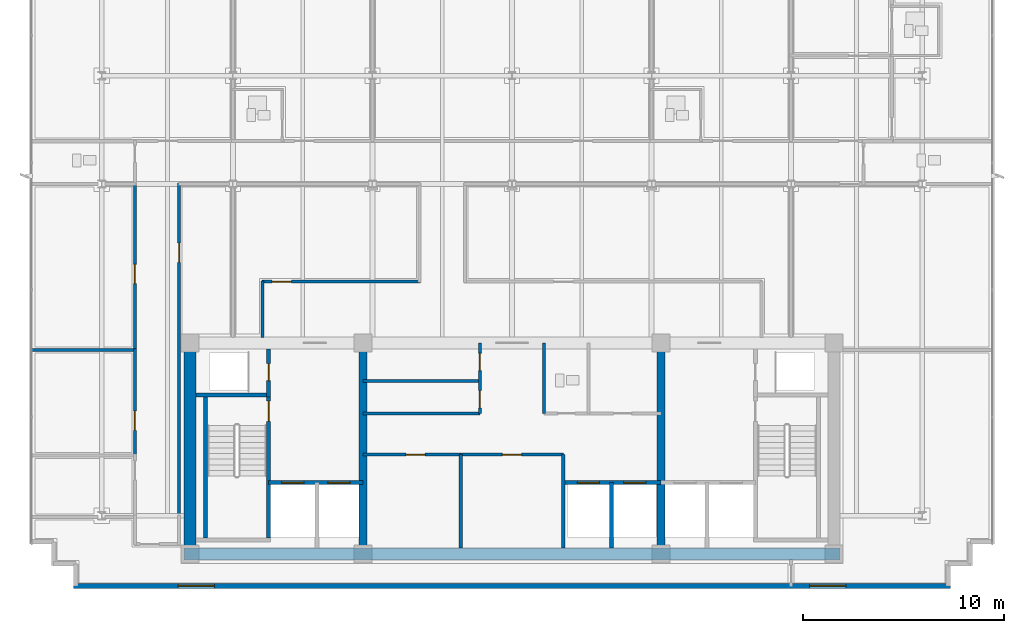
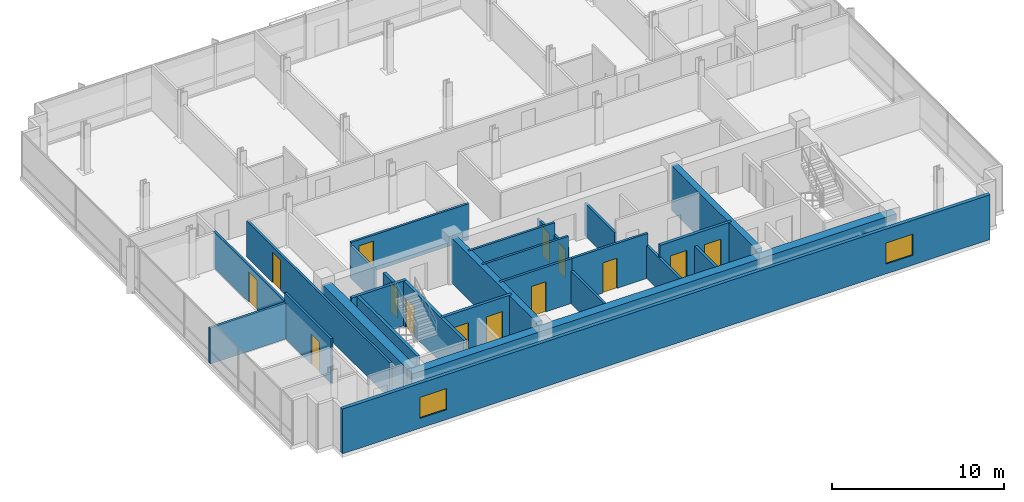
# One storey, part 11 of 19: 26 walls, 14 doors, 2 windows, 16 openings.
"""IFC4 building model written with IfcOpenShell, lengths in metres."""

from ifc_helpers import new_model, si_unit, direction, frame, frame_2d, origin, place, context, subcontext, project, spatial, rectangle, extrude, material, layer, layer_set, type_object, element, fill, save


model = new_model("IFC4")

# Units and contexts
model_context = context("Model", 3, precision=1e-05, world=origin(), true_north=direction((0.0, 1.0)))
body_context = subcontext(model_context, "Body", "Model", "MODEL_VIEW")
ifc_project = project(units=[si_unit("LENGTHUNIT", "METRE"), si_unit("AREAUNIT", "SQUARE_METRE"), si_unit("VOLUMEUNIT", "CUBIC_METRE"), si_unit("PLANEANGLEUNIT", "RADIAN"), si_unit("MASSUNIT", "GRAM", prefix="KILO")], contexts=[model_context])

# Site, building, storey
site_placement = place(None, origin())
site = spatial("IfcSite", under=ifc_project, at=site_placement, CompositionType="ELEMENT")
building_placement = place(site_placement, origin())
building = spatial("IfcBuilding", under=site, at=building_placement, Name="Solmavex Isthmus Hotel", CompositionType="ELEMENT")
storey_placement = place(building_placement, frame((0.0, 0.0, 262.64990234375)))
storey = spatial("IfcBuildingStorey", under=building, at=storey_placement, Name="L71", CompositionType="ELEMENT", Elevation=262.64990234375)

# Wall, openings, windows
ifc_material_1 = material(Name="Precast Concrete C40/50", Category="concrete")
ifc_layer_1 = layer(ifc_material_1, 0.25)
ifc_layer_set_1 = layer_set([ifc_layer_1], Name="Precast Concrete C40/50")
wall_type_1 = type_object("IfcWallType", Name="EW-TWR-250", PredefinedType="STANDARD", material=ifc_layer_set_1)
wall_1_placement = place(storey_placement, frame((-21.800048828125, -14.580078125, 0.0), z_axis=(0.0, 0.0, 1.0), x_axis=(1.0, 0.0, 0.0)))
wall_1 = element("IfcWall", 1, at=wall_1_placement, inside=storey, type_object=wall_type_1, Name="Tower Rear South Facade Wall L71", PredefinedType="STANDARD", context=body_context, shape_type="SweptSolid", body=[
    extrude(rectangle(XDim=43.60009765625, YDim=0.239990234375, at=frame_2d((21.800048828125, 0.0))), origin(), (0.0, 0.0, 1.0), 3.190185546875),
])
opening_1_placement = place(wall_1_placement, frame((5.2041015625, 0.0, 0.699951171875)))
opening_1 = element("IfcOpeningElement", 2, at=opening_1_placement, cuts=wall_1, Name="Opening WN-02", PredefinedType="OPENING", context=body_context, shape_type="SweptSolid", body=[
    extrude(rectangle(XDim=1.800048828125, YDim=1.5, at=frame_2d((0.89990234375, 0.75))), frame((0.0, 0.1298828125, 0.0), z_axis=(0.0, -1.0, 0.0), x_axis=(1.0, 0.0, 0.0)), (0.0, 0.0, 1.0), 0.260009765625),
])
opening_2_placement = place(wall_1_placement, frame((36.595947265625, 0.0, 0.699951171875)))
opening_2 = element("IfcOpeningElement", 3, at=opening_2_placement, cuts=wall_1, Name="Opening WN-02", PredefinedType="OPENING", context=body_context, shape_type="SweptSolid", body=[
    extrude(rectangle(XDim=1.800048828125, YDim=1.5, at=frame_2d((0.89990234375, 0.75))), frame((0.0, 0.1298828125, 0.0), z_axis=(0.0, -1.0, 0.0), x_axis=(1.0, 0.0, 0.0)), (0.0, 0.0, 1.0), 0.260009765625),
])
ifc_material_2 = material(Name="Clear low-E laminated glass", Category="glass")
window_type = type_object("IfcWindowType", Name="WIN-TWR-1800", PartitioningType="SINGLE_PANEL", PredefinedType="WINDOW", material=ifc_material_2)
window_1_placement = place(opening_1_placement, origin())
window_1 = element("IfcWindow", 4, at=window_1_placement, inside=storey, type_object=window_type, Name="South Facade Vision Window L71-S1", OverallHeight=1.5, OverallWidth=1.800048828125, PartitioningType="SINGLE_PANEL", PredefinedType="WINDOW", context=body_context, shape_type="SweptSolid", body=[
    extrude(rectangle(XDim=1.800048828125, YDim=1.5, at=frame_2d((0.89990234375, 0.75))), frame((0.0, 0.030029296875, 0.0), z_axis=(0.0, -1.0, 0.0), x_axis=(1.0, 0.0, 0.0)), (0.0, 0.0, 1.0), 0.06005859375),
])
fill(opening_1, window_1)
window_2_placement = place(opening_2_placement, origin())
window_2 = element("IfcWindow", 5, at=window_2_placement, inside=storey, type_object=window_type, Name="South Facade Vision Window L71-S2", OverallHeight=1.5, OverallWidth=1.800048828125, PartitioningType="SINGLE_PANEL", PredefinedType="WINDOW", context=body_context, shape_type="SweptSolid", body=[
    extrude(rectangle(XDim=1.800048828125, YDim=1.5, at=frame_2d((0.89990234375, 0.75))), frame((0.0, 0.030029296875, 0.0), z_axis=(0.0, -1.0, 0.0), x_axis=(1.0, 0.0, 0.0)), (0.0, 0.0, 1.0), 0.06005859375),
])
fill(opening_2, window_2)

# Wall, opening, door
ifc_material_3 = material(Name="Gypsum plasterboard lining", Category="gypsum")
ifc_layer_2 = layer(ifc_material_3, 0.159912109375)
ifc_layer_set_2 = layer_set([ifc_layer_2], Name="Gypsum plasterboard lining")
wall_type_2 = type_object("IfcWallType", Name="IW-COMP-160", PredefinedType="PARTITIONING", material=ifc_layer_set_2)
wall_2_placement = place(storey_placement, frame((-7.39990234375, -8.050048828125, 0.0), z_axis=(0.0, 0.0, 1.0), x_axis=(1.0, 0.0, 0.0)))
wall_2 = element("IfcWall", 6, at=wall_2_placement, inside=storey, type_object=wall_type_2, Name="Interior Partition Wall W-L71-REC-PLL-N", PredefinedType="PARTITIONING", context=body_context, shape_type="SweptSolid", body=[
    extrude(rectangle(XDim=4.849853515625, YDim=0.159912109375, at=frame_2d((2.4248046875, 0.0))), origin(), (0.0, 0.0, 1.0), 3.190185546875),
])
opening_3_placement = place(wall_2_placement, frame((2.125, 0.0, 0.0)))
opening_3 = element("IfcOpeningElement", 7, at=opening_3_placement, cuts=wall_2, Name="Opening ID-C095", PredefinedType="OPENING", context=body_context, shape_type="SweptSolid", body=[
    extrude(rectangle(XDim=0.949951171875, YDim=2.14990234375, at=frame_2d((0.47509765625, 1.074951171875))), frame((0.0, 0.08984375, 0.0), z_axis=(0.0, -1.0, 0.0), x_axis=(1.0, 0.0, 0.0)), (0.0, 0.0, 1.0), 0.179931640625),
])
ifc_material_4 = material(Name="Hardwood timber", Category="wood")
door_type_1 = type_object("IfcDoorType", Name="IDR-FD60-0950", OperationType="NOTDEFINED", PredefinedType="DOOR", material=ifc_material_4)
door_1_placement = place(opening_3_placement, origin())
door_1 = element("IfcDoor", 8, at=door_1_placement, inside=storey, type_object=door_type_1, Name="Linen Reserve Door L71", OperationType="SINGLE_SWING_LEFT", OverallHeight=2.14990234375, OverallWidth=0.949951171875, PredefinedType="DOOR", context=body_context, shape_type="SweptSolid", body=[
    extrude(rectangle(XDim=0.949951171875, YDim=2.14990234375, at=frame_2d((0.47509765625, 1.074951171875))), frame((0.0, 0.02490234375, 0.0), z_axis=(0.0, -1.0, 0.0), x_axis=(1.0, 0.0, 0.0)), (0.0, 0.0, 1.0), 0.050048828125),
])
fill(opening_3, door_1)

# Wall
wall_3_placement = place(storey_placement, frame((-2.550048828125, -12.699951171875, 0.0), z_axis=(0.0, 0.0, 1.0), x_axis=(0.0, 1.0, 0.0)))
element("IfcWall", 9, at=wall_3_placement, inside=storey, type_object=wall_type_2, Name="Interior Partition Wall W-L71-REC-PLL-E", PredefinedType="PARTITIONING", context=body_context, shape_type="SweptSolid", body=[
    extrude(rectangle(XDim=4.64990234375, YDim=0.159912109375, at=frame_2d((2.324951171875, 0.0))), origin(), (0.0, 0.0, 1.0), 2.3251953125),
])

# Wall, opening, door
wall_4_placement = place(storey_placement, frame((-2.550048828125, -8.050048828125, 0.0), z_axis=(0.0, 0.0, 1.0), x_axis=(1.0, 0.0, 0.0)))
wall_4 = element("IfcWall", 10, at=wall_4_placement, inside=storey, type_object=wall_type_2, Name="Interior Partition Wall W-L71-REC-PLM-N", PredefinedType="PARTITIONING", context=body_context, shape_type="SweptSolid", body=[
    extrude(rectangle(XDim=5.10009765625, YDim=0.159912109375, at=frame_2d((2.550048828125, 0.0))), origin(), (0.0, 0.0, 1.0), 3.190185546875),
])
opening_4_placement = place(wall_4_placement, frame((2.074951171875, 0.0, 0.0)))
opening_4 = element("IfcOpeningElement", 11, at=opening_4_placement, cuts=wall_4, Name="Opening ID-C095", PredefinedType="OPENING", context=body_context, shape_type="SweptSolid", body=[
    extrude(rectangle(XDim=0.949951171875, YDim=2.14990234375, at=frame_2d((0.47509765625, 1.074951171875))), frame((0.0, 0.08984375, 0.0), z_axis=(0.0, -1.0, 0.0), x_axis=(1.0, 0.0, 0.0)), (0.0, 0.0, 1.0), 0.179931640625),
])
door_2_placement = place(opening_4_placement, origin())
door_2 = element("IfcDoor", 12, at=door_2_placement, inside=storey, type_object=door_type_1, Name="Butler Store Door L71", OperationType="SINGLE_SWING_RIGHT", OverallHeight=2.14990234375, OverallWidth=0.949951171875, PredefinedType="DOOR", context=body_context, shape_type="SweptSolid", body=[
    extrude(rectangle(XDim=0.949951171875, YDim=2.14990234375, at=frame_2d((0.47509765625, 1.074951171875))), frame((0.0, 0.02490234375, 0.0), z_axis=(0.0, -1.0, 0.0), x_axis=(1.0, 0.0, 0.0)), (0.0, 0.0, 1.0), 0.050048828125),
])
fill(opening_4, door_2)

# Walls
wall_5_placement = place(storey_placement, frame((2.550048828125, -12.699951171875, 0.0), z_axis=(0.0, 0.0, 1.0), x_axis=(0.0, 1.0, 0.0)))
element("IfcWall", 13, at=wall_5_placement, inside=storey, type_object=wall_type_2, Name="Interior Partition Wall W-L71-REC-PLM-E", PredefinedType="PARTITIONING", context=body_context, shape_type="SweptSolid", body=[
    extrude(rectangle(XDim=4.64990234375, YDim=0.159912109375, at=frame_2d((2.324951171875, 0.0))), origin(), (0.0, 0.0, 1.0), 2.3251953125),
])
wall_6_placement = place(storey_placement, frame((-23.919921875, -2.85009765625, 0.0), z_axis=(0.0, 0.0, 1.0), x_axis=(1.0, 0.0, 0.0)))
element("IfcWall", 14, at=wall_6_placement, inside=storey, type_object=wall_type_2, Name="Interior Partition Wall W-L71-P067", PredefinedType="PARTITIONING", context=body_context, shape_type="SweptSolid", body=[
    extrude(rectangle(XDim=5.2099609375, YDim=0.159912109375, at=frame_2d((2.60498046875, 0.0))), origin(), (0.0, 0.0, 1.0), 2.5576171875),
])
ifc_layer_3 = layer(ifc_material_3, 0.14990234375)
ifc_layer_set_3 = layer_set([ifc_layer_3], Name="Gypsum plasterboard lining")
wall_type_3 = type_object("IfcWallType", Name="IW-CORR-150", PredefinedType="PARTITIONING", material=ifc_layer_set_3)
wall_7_placement = place(storey_placement, frame((-7.39990234375, -6.0, 0.0), z_axis=(0.0, 0.0, 1.0), x_axis=(1.0, 0.0, 0.0)))
element("IfcWall", 15, at=wall_7_placement, inside=storey, type_object=wall_type_3, Name="Interior Partition Wall W-L71-BOH-WS", PredefinedType="PARTITIONING", context=body_context, shape_type="SweptSolid", body=[
    extrude(rectangle(XDim=5.7998046875, YDim=0.14990234375, at=frame_2d((2.89990234375, 0.0))), origin(), (0.0, 0.0, 1.0), 3.190185546875),
])

# Wall, openings, doors
wall_8_placement = place(storey_placement, frame((-1.60009765625, -6.0, 0.0), z_axis=(0.0, 0.0, 1.0), x_axis=(0.0, 1.0, 0.0)))
wall_8 = element("IfcWall", 16, at=wall_8_placement, inside=storey, type_object=wall_type_3, Name="Interior Partition Wall W-L71-BOH-WE", PredefinedType="PARTITIONING", context=body_context, shape_type="SweptSolid", body=[
    extrude(rectangle(XDim=3.5, YDim=0.14990234375, at=frame_2d((1.75, 0.0))), origin(), (0.0, 0.0, 1.0), 2.3251953125),
])
opening_5_placement = place(wall_8_placement, frame((0.27490234375, 0.0, 0.0)))
opening_5 = element("IfcOpeningElement", 17, at=opening_5_placement, cuts=wall_8, Name="Opening ID-R085", PredefinedType="OPENING", context=body_context, shape_type="SweptSolid", body=[
    extrude(rectangle(XDim=0.85009765625, YDim=2.050048828125, at=frame_2d((0.425048828125, 1.02490234375))), frame((0.0, 0.0849609375, 0.0), z_axis=(0.0, -1.0, 0.0), x_axis=(1.0, 0.0, 0.0)), (0.0, 0.0, 1.0), 0.169921875),
])
opening_6_placement = place(wall_8_placement, frame((2.125, 0.0, 0.0)))
opening_6 = element("IfcOpeningElement", 18, at=opening_6_placement, cuts=wall_8, Name="Opening ID-R085", PredefinedType="OPENING", context=body_context, shape_type="SweptSolid", body=[
    extrude(rectangle(XDim=0.85009765625, YDim=2.050048828125, at=frame_2d((0.425048828125, 1.02490234375))), frame((0.0, 0.0849609375, 0.0), z_axis=(0.0, -1.0, 0.0), x_axis=(1.0, 0.0, 0.0)), (0.0, 0.0, 1.0), 0.169921875),
])
ifc_material_5 = material(Name="Steel ASTM A500 Grade C", Category="steel")
door_type_2 = type_object("IfcDoorType", Name="IDR-FD60-0850", OperationType="NOTDEFINED", PredefinedType="DOOR", material=ifc_material_5)
door_3_placement = place(opening_5_placement, origin())
door_3 = element("IfcDoor", 19, at=door_3_placement, inside=storey, type_object=door_type_2, Name="Housekeeping Door L71", OperationType="SINGLE_SWING_LEFT", OverallHeight=2.050048828125, OverallWidth=0.85009765625, PredefinedType="DOOR", context=body_context, shape_type="SweptSolid", body=[
    extrude(rectangle(XDim=0.85009765625, YDim=2.050048828125, at=frame_2d((0.425048828125, 1.02490234375))), frame((0.0, 0.02490234375, 0.0), z_axis=(0.0, -1.0, 0.0), x_axis=(1.0, 0.0, 0.0)), (0.0, 0.0, 1.0), 0.050048828125),
])
fill(opening_5, door_3)
door_4_placement = place(opening_6_placement, origin())
door_4 = element("IfcDoor", 20, at=door_4_placement, inside=storey, type_object=door_type_2, Name="Valet Store Door L71", OperationType="SINGLE_SWING_RIGHT", OverallHeight=2.050048828125, OverallWidth=0.85009765625, PredefinedType="DOOR", context=body_context, shape_type="SweptSolid", body=[
    extrude(rectangle(XDim=0.85009765625, YDim=2.050048828125, at=frame_2d((0.425048828125, 1.02490234375))), frame((0.0, 0.02490234375, 0.0), z_axis=(0.0, -1.0, 0.0), x_axis=(1.0, 0.0, 0.0)), (0.0, 0.0, 1.0), 0.050048828125),
])
fill(opening_6, door_4)

# Wall
wall_9_placement = place(storey_placement, frame((1.60009765625, -6.0, 0.0), z_axis=(0.0, 0.0, 1.0), x_axis=(0.0, 1.0, 0.0)))
element("IfcWall", 21, at=wall_9_placement, inside=storey, type_object=wall_type_3, Name="Interior Partition Wall W-L71-BOH-EW", PredefinedType="PARTITIONING", context=body_context, shape_type="SweptSolid", body=[
    extrude(rectangle(XDim=3.5, YDim=0.14990234375, at=frame_2d((1.75, 0.0))), origin(), (0.0, 0.0, 1.0), 2.3251953125),
])

# Wall, opening, door
wall_10_placement = place(storey_placement, frame((-16.550048828125, 5.43994140625, 0.0), z_axis=(0.0, 0.0, 1.0), x_axis=(0.0, -1.0, 0.0)))
wall_10 = element("IfcWall", 22, at=wall_10_placement, inside=storey, type_object=wall_type_3, Name="Interior Partition Wall W-L71-P012", PredefinedType="PARTITIONING", context=body_context, shape_type="SweptSolid", body=[
    extrude(rectangle(XDim=16.671875, YDim=0.14990234375, at=frame_2d((8.3359375, 0.0))), origin(), (0.0, 0.0, 1.0), 2.5576171875),
])
opening_7_placement = place(wall_10_placement, frame((2.98291015625, 0.0, 0.0)))
opening_7 = element("IfcOpeningElement", 23, at=opening_7_placement, cuts=wall_10, Name="Opening ID-C095", PredefinedType="OPENING", context=body_context, shape_type="SweptSolid", body=[
    extrude(rectangle(XDim=0.949951171875, YDim=2.14990234375, at=frame_2d((0.47509765625, 1.074951171875))), frame((0.0, 0.0849609375, 0.0), z_axis=(0.0, -1.0, 0.0), x_axis=(1.0, 0.0, 0.0)), (0.0, 0.0, 1.0), 0.169921875),
])
door_5_placement = place(opening_7_placement, frame((0.949951171875, 0.0, 0.0), z_axis=(0.0, 0.0, 1.0), x_axis=(-1.0, 0.0, 0.0)))
door_5 = element("IfcDoor", 24, at=door_5_placement, inside=storey, type_object=door_type_1, Name="Executive Meeting Room Door L71-14", OperationType="SINGLE_SWING_RIGHT", OverallHeight=2.14990234375, OverallWidth=0.949951171875, PredefinedType="DOOR", context=body_context, shape_type="SweptSolid", body=[
    extrude(rectangle(XDim=0.949951171875, YDim=2.14990234375, at=frame_2d((0.47509765625, 1.074951171875))), frame((0.0, 0.02490234375, 0.0), z_axis=(0.0, -1.0, 0.0), x_axis=(1.0, 0.0, 0.0)), (0.0, 0.0, 1.0), 0.050048828125),
])
fill(opening_7, door_5)

wall_11_placement = place(storey_placement, frame((-18.75, -8.181884765625, 0.0), z_axis=(0.0, 0.0, 1.0), x_axis=(0.0, 1.0, 0.0)))
wall_11 = element("IfcWall", 25, at=wall_11_placement, inside=storey, type_object=wall_type_3, Name="Interior Partition Wall W-L71-P013", PredefinedType="PARTITIONING", context=body_context, shape_type="SweptSolid", body=[
    extrude(rectangle(XDim=5.413818359375, YDim=0.14990234375, at=frame_2d((2.70703125, 0.0))), origin(), (0.0, 0.0, 1.0), 3.190185546875),
])
opening_8_placement = place(wall_11_placement, frame((1.3359375, 0.0, 0.0)))
opening_8 = element("IfcOpeningElement", 26, at=opening_8_placement, cuts=wall_11, Name="Opening ID-C095", PredefinedType="OPENING", context=body_context, shape_type="SweptSolid", body=[
    extrude(rectangle(XDim=0.949951171875, YDim=2.14990234375, at=frame_2d((0.47509765625, 1.074951171875))), frame((0.0, 0.0849609375, 0.0), z_axis=(0.0, -1.0, 0.0), x_axis=(1.0, 0.0, 0.0)), (0.0, 0.0, 1.0), 0.169921875),
])
door_6_placement = place(opening_8_placement, origin())
door_6 = element("IfcDoor", 27, at=door_6_placement, inside=storey, type_object=door_type_1, Name="Tea Ceremony Kitchen Door L71-15", OperationType="SINGLE_SWING_LEFT", OverallHeight=2.14990234375, OverallWidth=0.949951171875, PredefinedType="DOOR", context=body_context, shape_type="SweptSolid", body=[
    extrude(rectangle(XDim=0.949951171875, YDim=2.14990234375, at=frame_2d((0.47509765625, 1.074951171875))), frame((0.0, 0.02490234375, 0.0), z_axis=(0.0, -1.0, 0.0), x_axis=(1.0, 0.0, 0.0)), (0.0, 0.0, 1.0), 0.050048828125),
])
fill(opening_8, door_6)

wall_12_placement = place(storey_placement, frame((-18.75, -2.931884765625, 0.0), z_axis=(0.0, 0.0, 1.0), x_axis=(0.0, 1.0, 0.0)))
wall_12 = element("IfcWall", 28, at=wall_12_placement, inside=storey, type_object=wall_type_3, Name="Interior Partition Wall W-L71-P014", PredefinedType="PARTITIONING", context=body_context, shape_type="SweptSolid", body=[
    extrude(rectangle(XDim=8.413818359375, YDim=0.14990234375, at=frame_2d((4.20703125, 0.0))), origin(), (0.0, 0.0, 1.0), 2.572509765625),
])
opening_9_placement = place(wall_12_placement, frame((3.382080078125, 0.0, 0.0)))
opening_9 = element("IfcOpeningElement", 29, at=opening_9_placement, cuts=wall_12, Name="Opening ID-C095", PredefinedType="OPENING", context=body_context, shape_type="SweptSolid", body=[
    extrude(rectangle(XDim=0.949951171875, YDim=2.14990234375, at=frame_2d((0.47509765625, 1.074951171875))), frame((0.0, 0.0849609375, 0.0), z_axis=(0.0, -1.0, 0.0), x_axis=(1.0, 0.0, 0.0)), (0.0, 0.0, 1.0), 0.169921875),
])
door_7_placement = place(opening_9_placement, origin())
door_7 = element("IfcDoor", 30, at=door_7_placement, inside=storey, type_object=door_type_1, Name="Executive Meeting Room Door L71-16", OperationType="SINGLE_SWING_RIGHT", OverallHeight=2.14990234375, OverallWidth=0.949951171875, PredefinedType="DOOR", context=body_context, shape_type="SweptSolid", body=[
    extrude(rectangle(XDim=0.949951171875, YDim=2.14990234375, at=frame_2d((0.47509765625, 1.074951171875))), frame((0.0, 0.02490234375, 0.0), z_axis=(0.0, -1.0, 0.0), x_axis=(1.0, 0.0, 0.0)), (0.0, 0.0, 1.0), 0.050048828125),
])
fill(opening_9, door_7)

# Wall
wall_13_placement = place(storey_placement, frame((-12.39990234375, -2.239990234375, 0.0), z_axis=(0.0, 0.0, 1.0), x_axis=(0.0, 1.0, 0.0)))
element("IfcWall", 31, at=wall_13_placement, inside=storey, type_object=wall_type_3, Name="Interior Partition Wall W-L71-P015", PredefinedType="PARTITIONING", context=body_context, shape_type="SweptSolid", body=[
    extrude(rectangle(XDim=2.830078125, YDim=0.14990234375, at=frame_2d((1.4150390625, 0.0))), origin(), (0.0, 0.0, 1.0), 2.3251953125),
])

# Wall, opening, door
wall_14_placement = place(storey_placement, frame((-12.43994140625, 0.550048828125, 0.0), z_axis=(0.0, 0.0, 1.0), x_axis=(1.0, 0.0, 0.0)))
wall_14 = element("IfcWall", 32, at=wall_14_placement, inside=storey, type_object=wall_type_3, Name="Interior Partition Wall W-L71-P016", PredefinedType="PARTITIONING", context=body_context, shape_type="SweptSolid", body=[
    extrude(rectangle(XDim=7.891845703125, YDim=0.14990234375, at=frame_2d((3.94580078125, 0.0))), origin(), (0.0, 0.0, 1.0), 2.572509765625),
])
opening_10_placement = place(wall_14_placement, frame((0.51806640625, 0.0, 0.0)))
opening_10 = element("IfcOpeningElement", 33, at=opening_10_placement, cuts=wall_14, Name="Opening ID-C095", PredefinedType="OPENING", context=body_context, shape_type="SweptSolid", body=[
    extrude(rectangle(XDim=0.949951171875, YDim=2.14990234375, at=frame_2d((0.47509765625, 1.074951171875))), frame((0.0, 0.0849609375, 0.0), z_axis=(0.0, -1.0, 0.0), x_axis=(1.0, 0.0, 0.0)), (0.0, 0.0, 1.0), 0.169921875),
])
door_8_placement = place(opening_10_placement, origin())
door_8 = element("IfcDoor", 34, at=door_8_placement, inside=storey, type_object=door_type_1, Name="Catering Servery Kitchen Door L71-17", OperationType="SINGLE_SWING_LEFT", OverallHeight=2.14990234375, OverallWidth=0.949951171875, PredefinedType="DOOR", context=body_context, shape_type="SweptSolid", body=[
    extrude(rectangle(XDim=0.949951171875, YDim=2.14990234375, at=frame_2d((0.47509765625, 1.074951171875))), frame((0.0, 0.02490234375, 0.0), z_axis=(0.0, -1.0, 0.0), x_axis=(1.0, 0.0, 0.0)), (0.0, 0.0, 1.0), 0.050048828125),
])
fill(opening_10, door_8)

# Walls
ifc_layer_4 = layer(ifc_material_3, 0.1201171875)
ifc_layer_set_4 = layer_set([ifc_layer_4], Name="Gypsum plasterboard lining")
wall_type_4 = type_object("IfcWallType", Name="IW-PART-120", PredefinedType="PARTITIONING", material=ifc_layer_set_4)
wall_15_placement = place(storey_placement, frame((-7.39990234375, -4.39990234375, 0.0), z_axis=(0.0, 0.0, 1.0), x_axis=(1.0, 0.0, 0.0)))
element("IfcWall", 35, at=wall_15_placement, inside=storey, type_object=wall_type_4, Name="Interior Partition Wall W-L71-BOH-WH3", PredefinedType="PARTITIONING", context=body_context, shape_type="SweptSolid", body=[
    extrude(rectangle(XDim=5.7998046875, YDim=0.14990234375, at=frame_2d((2.89990234375, 0.0))), origin(), (0.0, 0.0, 1.0), 3.190185546875),
])
ifc_material_6 = material(Name="Concrete C40/50", Category="concrete")
ifc_layer_5 = layer(ifc_material_6, 0.179931640625)
ifc_layer_set_5 = layer_set([ifc_layer_5], Name="Concrete C40/50")
wall_type_5 = type_object("IfcWallType", Name="IW-SHAFT-180", PredefinedType="PARTITIONING", material=ifc_layer_set_5)
wall_16_placement = place(storey_placement, frame((4.949951171875, -12.699951171875, 0.0), z_axis=(0.0, 0.0, 1.0), x_axis=(0.0, 1.0, 0.0)))
element("IfcWall", 36, at=wall_16_placement, inside=storey, type_object=wall_type_5, Name="Interior Partition Wall W-L71-SH-PLH-M", PredefinedType="PARTITIONING", context=body_context, shape_type="SweptSolid", body=[
    extrude(rectangle(XDim=3.25, YDim=0.179931640625, at=frame_2d((1.625, 0.0))), origin(), (0.0, 0.0, 1.0), 2.3251953125),
])

# Wall, opening, door
ifc_layer_6 = layer(ifc_material_6, 0.199951171875)
ifc_layer_set_6 = layer_set([ifc_layer_6], Name="Concrete C40/50")
wall_type_6 = type_object("IfcWallType", Name="IW-SHAFT-200", PredefinedType="PARTITIONING", material=ifc_layer_set_6)
wall_17_placement = place(storey_placement, frame((-12.10009765625, -5.199951171875, 0.0), z_axis=(0.0, 0.0, 1.0), x_axis=(0.0, 1.0, 0.0)))
wall_17 = element("IfcWall", 37, at=wall_17_placement, inside=storey, type_object=wall_type_6, Name="Interior Partition Wall W-L71-RSW-E", PredefinedType="PARTITIONING", context=body_context, shape_type="SweptSolid", body=[
    extrude(rectangle(XDim=2.39990234375, YDim=0.199951171875, at=frame_2d((1.199951171875, 0.0))), origin(), (0.0, 0.0, 1.0), 2.3251953125),
])
opening_11_placement = place(wall_17_placement, frame((0.824951171875, 0.0, 0.0)))
opening_11 = element("IfcOpeningElement", 38, at=opening_11_placement, cuts=wall_17, Name="Opening ID-R085", PredefinedType="OPENING", context=body_context, shape_type="SweptSolid", body=[
    extrude(rectangle(XDim=0.85009765625, YDim=2.050048828125, at=frame_2d((0.425048828125, 1.02490234375))), frame((0.0, 0.10986328125, 0.0), z_axis=(0.0, -1.0, 0.0), x_axis=(1.0, 0.0, 0.0)), (0.0, 0.0, 1.0), 0.219970703125),
])
door_9_placement = place(opening_11_placement, origin())
door_9 = element("IfcDoor", 39, at=door_9_placement, inside=storey, type_object=door_type_2, Name="Electrical Riser Door L71", OperationType="SINGLE_SWING_RIGHT", OverallHeight=2.050048828125, OverallWidth=0.85009765625, PredefinedType="DOOR", context=body_context, shape_type="SweptSolid", body=[
    extrude(rectangle(XDim=0.85009765625, YDim=2.050048828125, at=frame_2d((0.425048828125, 1.02490234375))), frame((0.0, 0.02490234375, 0.0), z_axis=(0.0, -1.0, 0.0), x_axis=(1.0, 0.0, 0.0)), (0.0, 0.0, 1.0), 0.050048828125),
])
fill(opening_11, door_9)

# Wall, openings, doors
wall_18_placement = place(storey_placement, frame((-12.10009765625, -9.449951171875, 0.0), z_axis=(0.0, 0.0, 1.0), x_axis=(1.0, 0.0, 0.0)))
wall_18 = element("IfcWall", 40, at=wall_18_placement, inside=storey, type_object=wall_type_6, Name="Interior Partition Wall W-L71-FFLW-S", PredefinedType="PARTITIONING", context=body_context, shape_type="SweptSolid", body=[
    extrude(rectangle(XDim=4.7001953125, YDim=0.199951171875, at=frame_2d((2.35009765625, 0.0))), origin(), (0.0, 0.0, 1.0), 3.190185546875),
])
opening_12_placement = place(wall_18_placement, frame((0.64990234375, 0.0, 0.0)))
opening_12 = element("IfcOpeningElement", 41, at=opening_12_placement, cuts=wall_18, Name="Opening LD-FF", PredefinedType="OPENING", context=body_context, shape_type="SweptSolid", body=[
    extrude(rectangle(XDim=1.10009765625, YDim=2.199951171875, at=frame_2d((0.550048828125, 1.10009765625))), frame((0.0, 0.10986328125, 0.0), z_axis=(0.0, -1.0, 0.0), x_axis=(1.0, 0.0, 0.0)), (0.0, 0.0, 1.0), 0.219970703125),
])
opening_13_placement = place(wall_18_placement, frame((2.949951171875, 0.0, 0.0)))
opening_13 = element("IfcOpeningElement", 42, at=opening_13_placement, cuts=wall_18, Name="Opening LD-SV", PredefinedType="OPENING", context=body_context, shape_type="SweptSolid", body=[
    extrude(rectangle(XDim=1.10009765625, YDim=2.199951171875, at=frame_2d((0.550048828125, 1.10009765625))), frame((0.0, 0.10986328125, 0.0), z_axis=(0.0, -1.0, 0.0), x_axis=(1.0, 0.0, 0.0)), (0.0, 0.0, 1.0), 0.219970703125),
])
ifc_material_7 = material(Name="Stainless steel 316", Category="steel")
door_type_3 = type_object("IfcDoorType", Name="LDR-FF-1100", OperationType="NOTDEFINED", PredefinedType="DOOR", material=ifc_material_7)
door_10_placement = place(opening_12_placement, origin())
door_10 = element("IfcDoor", 43, at=door_10_placement, inside=storey, type_object=door_type_3, Name="Lift Landing Door FFL-1 L71", OperationType="SLIDING_TO_LEFT", OverallHeight=2.199951171875, OverallWidth=1.10009765625, PredefinedType="DOOR", context=body_context, shape_type="SweptSolid", body=[
    extrude(rectangle(XDim=1.10009765625, YDim=2.199951171875, at=frame_2d((0.550048828125, 1.10009765625))), frame((0.0, 0.02490234375, 0.0), z_axis=(0.0, -1.0, 0.0), x_axis=(1.0, 0.0, 0.0)), (0.0, 0.0, 1.0), 0.050048828125),
])
fill(opening_12, door_10)
door_type_4 = type_object("IfcDoorType", Name="LDR-SV-1100", OperationType="NOTDEFINED", PredefinedType="DOOR", material=ifc_material_7)
door_11_placement = place(opening_13_placement, origin())
door_11 = element("IfcDoor", 44, at=door_11_placement, inside=storey, type_object=door_type_4, Name="Lift Landing Door SVL-1 L71", OperationType="SLIDING_TO_RIGHT", OverallHeight=2.199951171875, OverallWidth=1.10009765625, PredefinedType="DOOR", context=body_context, shape_type="SweptSolid", body=[
    extrude(rectangle(XDim=1.10009765625, YDim=2.199951171875, at=frame_2d((0.550048828125, 1.10009765625))), frame((0.0, 0.02490234375, 0.0), z_axis=(0.0, -1.0, 0.0), x_axis=(1.0, 0.0, 0.0)), (0.0, 0.0, 1.0), 0.050048828125),
])
fill(opening_13, door_11)

wall_19_placement = place(storey_placement, frame((2.550048828125, -9.449951171875, 0.0), z_axis=(0.0, 0.0, 1.0), x_axis=(1.0, 0.0, 0.0)))
wall_19 = element("IfcWall", 45, at=wall_19_placement, inside=storey, type_object=wall_type_6, Name="Interior Partition Wall W-L71-SH-PLH", PredefinedType="PARTITIONING", context=body_context, shape_type="SweptSolid", body=[
    extrude(rectangle(XDim=4.849853515625, YDim=0.199951171875, at=frame_2d((2.4248046875, 0.0))), origin(), (0.0, 0.0, 1.0), 3.190185546875),
])
opening_14_placement = place(wall_19_placement, frame((0.699951171875, 0.0, 0.0)))
opening_14 = element("IfcOpeningElement", 46, at=opening_14_placement, cuts=wall_19, Name="Opening LD-PL", PredefinedType="OPENING", context=body_context, shape_type="SweptSolid", body=[
    extrude(rectangle(XDim=1.10009765625, YDim=2.199951171875, at=frame_2d((0.550048828125, 1.10009765625))), frame((0.0, 0.10986328125, 0.0), z_axis=(0.0, -1.0, 0.0), x_axis=(1.0, 0.0, 0.0)), (0.0, 0.0, 1.0), 0.219970703125),
])
opening_15_placement = place(wall_19_placement, frame((3.0, 0.0, 0.0)))
opening_15 = element("IfcOpeningElement", 47, at=opening_15_placement, cuts=wall_19, Name="Opening LD-PL", PredefinedType="OPENING", context=body_context, shape_type="SweptSolid", body=[
    extrude(rectangle(XDim=1.10009765625, YDim=2.199951171875, at=frame_2d((0.550048828125, 1.10009765625))), frame((0.0, 0.10986328125, 0.0), z_axis=(0.0, -1.0, 0.0), x_axis=(1.0, 0.0, 0.0)), (0.0, 0.0, 1.0), 0.219970703125),
])
door_type_5 = type_object("IfcDoorType", Name="LDR-PL-1100", OperationType="NOTDEFINED", PredefinedType="DOOR", material=ifc_material_7)
door_12_placement = place(opening_14_placement, origin())
door_12 = element("IfcDoor", 48, at=door_12_placement, inside=storey, type_object=door_type_5, Name="Lift Landing Door PLH1 L71", OperationType="SLIDING_TO_LEFT", OverallHeight=2.199951171875, OverallWidth=1.10009765625, PredefinedType="DOOR", context=body_context, shape_type="SweptSolid", body=[
    extrude(rectangle(XDim=1.10009765625, YDim=2.199951171875, at=frame_2d((0.550048828125, 1.10009765625))), frame((0.0, 0.02490234375, 0.0), z_axis=(0.0, -1.0, 0.0), x_axis=(1.0, 0.0, 0.0)), (0.0, 0.0, 1.0), 0.050048828125),
])
fill(opening_14, door_12)
door_13_placement = place(opening_15_placement, origin())
door_13 = element("IfcDoor", 49, at=door_13_placement, inside=storey, type_object=door_type_5, Name="Lift Landing Door PLH2 L71", OperationType="SLIDING_TO_LEFT", OverallHeight=2.199951171875, OverallWidth=1.10009765625, PredefinedType="DOOR", context=body_context, shape_type="SweptSolid", body=[
    extrude(rectangle(XDim=1.10009765625, YDim=2.199951171875, at=frame_2d((0.550048828125, 1.10009765625))), frame((0.0, 0.02490234375, 0.0), z_axis=(0.0, -1.0, 0.0), x_axis=(1.0, 0.0, 0.0)), (0.0, 0.0, 1.0), 0.050048828125),
])
fill(opening_15, door_13)

# Walls
ifc_material_8 = material(Name="Concrete C50/60", Category="concrete")
ifc_layer_7 = layer(ifc_material_8, 0.39990234375)
ifc_layer_set_7 = layer_set([ifc_layer_7], Name="Concrete C50/60")
wall_type_7 = type_object("IfcWallType", Name="WALL-CW-400H", PredefinedType="SHEAR", material=ifc_layer_set_7)
for number, where, z_axis, x_axis, name in (
    (50, (-7.39990234375, -12.699951171875, 0.0), (0.0, 0.0, 1.0), (0.0, 1.0, 0.0), "Core Cross Shear Wall C1 L71"),
    (51, (7.39990234375, -12.699951171875, 0.0), (0.0, 0.0, 1.0), (0.0, 1.0, 0.0), "Core Cross Shear Wall C2 L71"),
):
    element("IfcWall", number, at=place(storey_placement, frame(where, z_axis=z_axis, x_axis=x_axis)), inside=storey, type_object=wall_type_7, Name=name, PredefinedType="SHEAR", context=body_context, shape_type="SweptSolid", body=[
        extrude(rectangle(XDim=9.89990234375, YDim=0.39990234375, at=frame_2d((4.949951171875, 0.0))), origin(), (0.0, 0.0, 1.0), 3.190185546875),
    ])
ifc_layer_8 = layer(ifc_material_8, 0.60009765625)
ifc_layer_set_8 = layer_set([ifc_layer_8], Name="Concrete C50/60")
wall_type_8 = type_object("IfcWallType", Name="WALL-CW-600", PredefinedType="SHEAR", material=ifc_layer_set_8)
wall_20_placement = place(storey_placement, frame((-16.300048828125, -13.0, 0.0), z_axis=(0.0, 0.0, 1.0), x_axis=(1.0, 0.0, 0.0)))
element("IfcWall", 52, at=wall_20_placement, inside=storey, type_object=wall_type_8, Name="Core Shear Wall South L71", PredefinedType="SHEAR", context=body_context, shape_type="SweptSolid", body=[
    extrude(rectangle(XDim=32.60009765625, YDim=0.60009765625, at=frame_2d((16.300048828125, 0.0))), origin(), (0.0, 0.0, 1.0), 2.91015625),
])
wall_21_placement = place(storey_placement, frame((-16.0, -12.699951171875, 0.0), z_axis=(0.0, 0.0, 1.0), x_axis=(0.0, 1.0, 0.0)))
element("IfcWall", 53, at=wall_21_placement, inside=storey, type_object=wall_type_8, Name="Core Shear Wall West L71", PredefinedType="SHEAR", context=body_context, shape_type="SweptSolid", body=[
    extrude(rectangle(XDim=9.89990234375, YDim=0.60009765625, at=frame_2d((4.949951171875, 0.0))), origin(), (0.0, 0.0, 1.0), 2.91015625),
])
ifc_layer_9 = layer(ifc_material_6, 0.199951171875)
ifc_layer_set_9 = layer_set([ifc_layer_9], Name="Concrete C40/50")
wall_type_9 = type_object("IfcWallType", Name="WALL-SW-200", PredefinedType="SOLIDWALL", material=ifc_layer_set_9)
wall_22_placement = place(storey_placement, frame((-15.699951171875, -5.10009765625, 0.0), z_axis=(0.0, 0.0, 1.0), x_axis=(1.0, 0.0, 0.0)))
element("IfcWall", 54, at=wall_22_placement, inside=storey, type_object=wall_type_9, Name="Stairwell Structural Wall SW-L71-ST1-N", PredefinedType="SOLIDWALL", context=body_context, shape_type="SweptSolid", body=[
    extrude(rectangle(XDim=3.699951171875, YDim=0.199951171875, at=frame_2d((1.85009765625, 0.0))), origin(), (0.0, 0.0, 1.0), 3.190185546875),
])
wall_23_placement = place(storey_placement, frame((-15.25, -12.199951171875, 0.0), z_axis=(0.0, 0.0, 1.0), x_axis=(0.0, 1.0, 0.0)))
element("IfcWall", 55, at=wall_23_placement, inside=storey, type_object=wall_type_9, Name="Stairwell Structural Wall SW-L71-ST1-W", PredefinedType="SOLIDWALL", context=body_context, shape_type="SweptSolid", body=[
    extrude(rectangle(XDim=7.0, YDim=0.199951171875, at=frame_2d((3.5, 0.0))), origin(), (0.0, 0.0, 1.0), 3.190185546875),
])

# Wall, opening, door
wall_24_placement = place(storey_placement, frame((-12.10009765625, -12.199951171875, 0.0), z_axis=(0.0, 0.0, 1.0), x_axis=(0.0, 1.0, 0.0)))
wall_24 = element("IfcWall", 56, at=wall_24_placement, inside=storey, type_object=wall_type_9, Name="Stairwell Structural Wall SW-L71-ST1-E", PredefinedType="SOLIDWALL", context=body_context, shape_type="SweptSolid", body=[
    extrude(rectangle(XDim=7.0, YDim=0.199951171875, at=frame_2d((3.5, 0.0))), origin(), (0.0, 0.0, 1.0), 3.190185546875),
])
opening_16_placement = place(wall_24_placement, frame((5.800048828125, 0.0, 0.0)))
opening_16 = element("IfcOpeningElement", 57, at=opening_16_placement, cuts=wall_24, Name="Opening ID-F100", PredefinedType="OPENING", context=body_context, shape_type="SweptSolid", body=[
    extrude(rectangle(XDim=1.0, YDim=2.10009765625, at=frame_2d((0.5, 1.050048828125))), frame((0.0, 0.10986328125, 0.0), z_axis=(0.0, -1.0, 0.0), x_axis=(1.0, 0.0, 0.0)), (0.0, 0.0, 1.0), 0.219970703125),
])
door_type_6 = type_object("IfcDoorType", Name="IDR-FD90-1000", OperationType="NOTDEFINED", PredefinedType="DOOR", material=ifc_material_5)
door_14_placement = place(opening_16_placement, frame((1.0, 0.0, 0.0), z_axis=(0.0, 0.0, 1.0), x_axis=(-1.0, 0.0, 0.0)))
door_14 = element("IfcDoor", 58, at=door_14_placement, inside=storey, type_object=door_type_6, Name="Stair ST-1 Fire Door L71", OperationType="SINGLE_SWING_LEFT", OverallHeight=2.10009765625, OverallWidth=1.0, PredefinedType="DOOR", context=body_context, shape_type="SweptSolid", body=[
    extrude(rectangle(XDim=1.0, YDim=2.10009765625, at=frame_2d((0.5, 1.050048828125))), frame((0.0, 0.02490234375, 0.0), z_axis=(0.0, -1.0, 0.0), x_axis=(1.0, 0.0, 0.0)), (0.0, 0.0, 1.0), 0.050048828125),
])
fill(opening_16, door_14)

save(model, "model.ifc")
